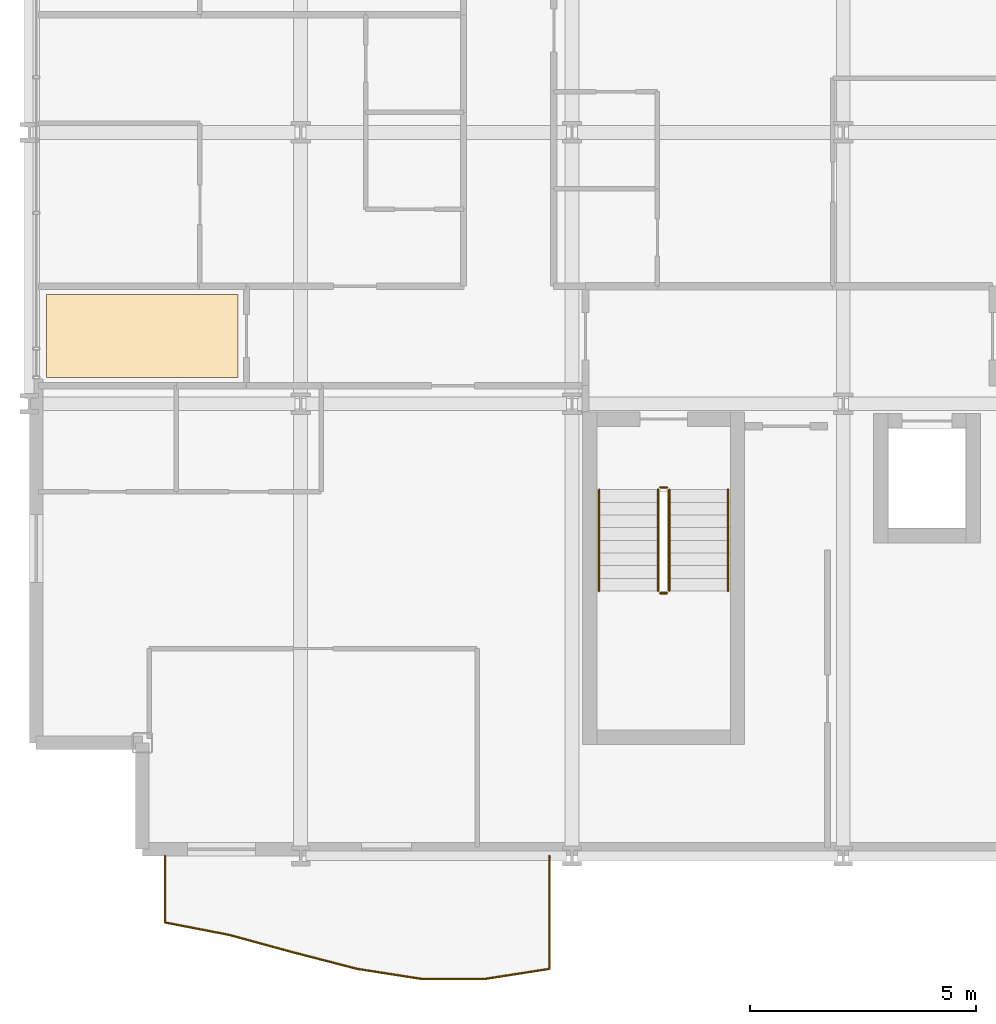
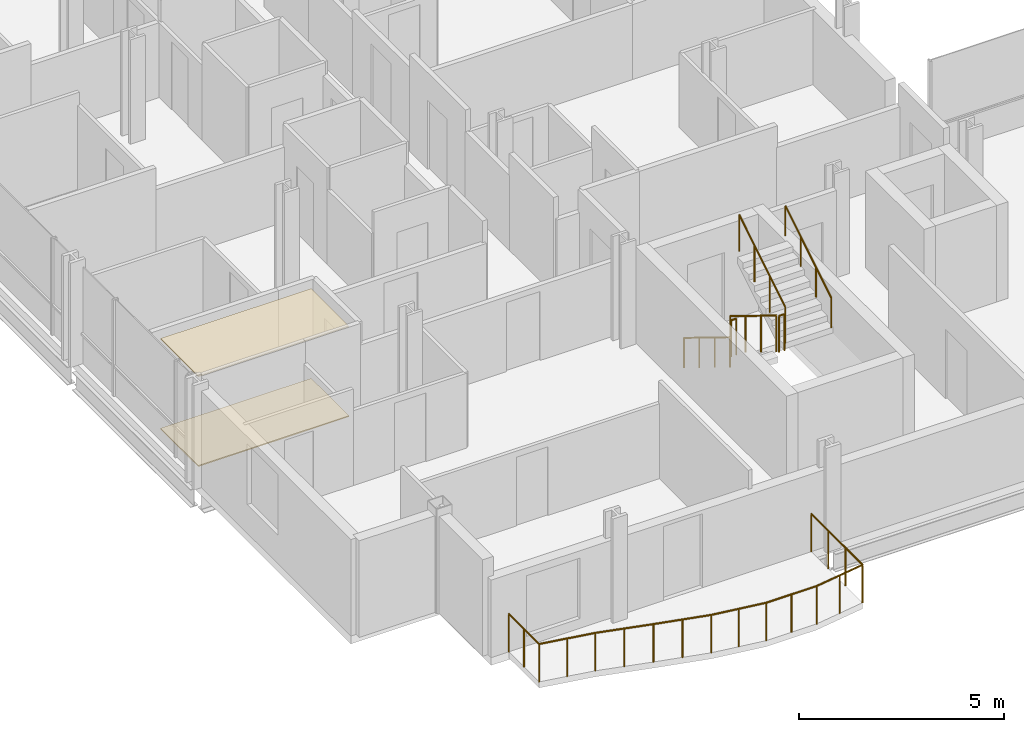
# One storey, part 38 of 40: 7 railings, 2 coverings.
"""IFC4 building model written with IfcOpenShell, lengths in metres."""

import ifcopenshell
import ifcopenshell.guid

model = None  # the IFC model being written
_history = None  # IfcOwnerHistory: only IFC2X3 demands one
_inside = {}  # id of a spatial element -> (the spatial element, [elements in it])
_under = {}  # id of a project, library or spatial element -> (it, [spatial elements below it])
_declared = {}  # id of a project -> (the project, [libraries it declares])
_typed = {}  # id of a type object -> (the type object, [elements of that type])
_made_of = {}  # id of a material, layer set ... -> (it, [elements and type objects made of it])


def new_model(schema):
    """Start an empty IFC model of exactly this schema.

    Asked for "IFC4X3", IfcOpenShell would pick the latest addendum, in which some entities
    have other attributes; the version numbers below select the first issue.
    IFC2X3 requires an IfcOwnerHistory on every rooted entity: one is made here for all.
    """
    global model, _history
    if schema == "IFC4X3":
        model = ifcopenshell.file(schema_version=(4, 3, 0, 0))
    else:
        model = ifcopenshell.file(schema=schema)
    _inside.clear()
    _under.clear()
    _declared.clear()
    _typed.clear()
    _made_of.clear()
    _history = None
    if model.schema == "IFC2X3":
        org = make("IfcOrganization", Name="unknown")
        user = make(
            "IfcPersonAndOrganization",
            ThePerson=make("IfcPerson", FamilyName="unknown"),
            TheOrganization=org,
        )
        app = make(
            "IfcApplication",
            ApplicationDeveloper=org,
            Version="unknown",
            ApplicationFullName="unknown",
            ApplicationIdentifier="unknown",
        )
        _history = make(
            "IfcOwnerHistory",
            OwningUser=user,
            OwningApplication=app,
            ChangeAction="ADDED",
            CreationDate=0,
        )
    return model


def make(cls, **values):
    """One entity of the class cls with the attributes given. An attribute that is None is left unset."""
    return model.create_entity(
        cls, **{name: value for name, value in values.items() if value is not None}
    )


def rooted(cls, **values):
    """An entity with a GlobalId (a new one), such as an element, a storey or a relation."""
    return make(cls, GlobalId=ifcopenshell.guid.new(), OwnerHistory=_history, **values)


def si_unit(unit_type, name, prefix=None):
    """IfcSIUnit, for example si_unit("LENGTHUNIT", "METRE", prefix="MILLI")."""
    return make("IfcSIUnit", UnitType=unit_type, Prefix=prefix, Name=name)


def assignment(units):
    """IfcUnitAssignment: the units of a project."""
    return None if units is None else make("IfcUnitAssignment", Units=units)


def point(xyz):
    """IfcCartesianPoint."""
    return None if xyz is None else make("IfcCartesianPoint", Coordinates=xyz)


def direction(xyz):
    """IfcDirection."""
    return None if xyz is None else make("IfcDirection", DirectionRatios=xyz)


def frame(location, z_axis=None, x_axis=None):
    """IfcAxis2Placement3D, a coordinate frame: its origin and axes. An axis left out is left unset."""
    return make(
        "IfcAxis2Placement3D",
        Location=point(location),
        Axis=direction(z_axis),
        RefDirection=direction(x_axis),
    )


def frame_2d(location, x_axis=None):
    """IfcAxis2Placement2D, a coordinate frame in the plane: its origin and x axis."""
    return make(
        "IfcAxis2Placement2D", Location=point(location), RefDirection=direction(x_axis)
    )


def origin():
    """The frame at (0, 0, 0) with its axes left unset."""
    return frame((0.0, 0.0, 0.0))


def origin_2d():
    """The frame at (0, 0) in the plane with its x axis left unset."""
    return frame_2d((0.0, 0.0))


def place(relative_to, where):
    """IfcLocalPlacement: puts the frame where relative to a parent placement (None: the world)."""
    return make(
        "IfcLocalPlacement", PlacementRelTo=relative_to, RelativePlacement=where
    )


def context(
    kind, dimensions, precision=None, world=None, true_north=None, identifier=None
):
    """IfcGeometricRepresentationContext, for example the 3D "Model" context."""
    return make(
        "IfcGeometricRepresentationContext",
        ContextIdentifier=identifier,
        ContextType=kind,
        CoordinateSpaceDimension=dimensions,
        Precision=precision,
        WorldCoordinateSystem=world,
        TrueNorth=true_north,
    )


def subcontext(parent, identifier, kind, view, scale=None):
    """IfcGeometricRepresentationSubContext, for example "Body" below "Model"."""
    return make(
        "IfcGeometricRepresentationSubContext",
        ContextIdentifier=identifier,
        ContextType=kind,
        ParentContext=parent,
        TargetScale=scale,
        TargetView=view,
    )


def project(units=None, contexts=None):
    """IfcProject with its units and contexts."""
    return rooted(
        "IfcProject",
        Name="project",
        RepresentationContexts=contexts,
        UnitsInContext=assignment(units),
    )


def spatial(cls, under=None, at=None, **own):
    """A site, building, storey or space (cls), placed at a placement, below another one or the project."""
    s = rooted(cls, ObjectPlacement=at, **own)
    if under is not None:
        _under.setdefault(under.id(), (under, []))[1].append(s)
    return s


def polyline(points):
    """IfcPolyline through the points."""
    return make("IfcPolyline", Points=[point(p) for p in points])


def profile(cls, at=None, kind="AREA", **sizes):
    """A parametric profile (cls). Its sizes go by their IFC names, for example OverallWidth=200.0."""
    return make(cls, ProfileType=kind, Position=at, **sizes)


def circle(**sizes):
    """IfcCircleProfileDef."""
    return profile("IfcCircleProfileDef", **sizes)


def outline(outer, holes=None, kind="AREA"):
    """IfcArbitraryClosedProfileDef: a profile drawn as a closed curve; with holes, ...WithVoids."""
    if holes is None:
        return make("IfcArbitraryClosedProfileDef", ProfileType=kind, OuterCurve=outer)
    return make(
        "IfcArbitraryProfileDefWithVoids",
        ProfileType=kind,
        OuterCurve=outer,
        InnerCurves=holes,
    )


def extrude(swept, where, along, depth):
    """IfcExtrudedAreaSolid: the profile swept, set in the frame where, extruded along a direction by depth."""
    return make(
        "IfcExtrudedAreaSolid",
        SweptArea=swept,
        Position=where,
        ExtrudedDirection=direction(along),
        Depth=depth,
    )


def shape(context_of_items, identifier, shape_type, items):
    """IfcShapeRepresentation: the items that make up one representation, for example the "Body"."""
    return make(
        "IfcShapeRepresentation",
        ContextOfItems=context_of_items,
        RepresentationIdentifier=identifier,
        RepresentationType=shape_type,
        Items=items,
    )


def material(Name=None, Category=None):
    """IfcMaterial."""
    return make("IfcMaterial", Name=Name, Category=Category)


def layer(
    of_material, thickness, ventilated=None, Name=None, Category=None, Priority=None
):
    """IfcMaterialLayer: one layer of a wall or slab, of a material (None: an air gap)."""
    return make(
        "IfcMaterialLayer",
        Material=of_material,
        LayerThickness=thickness,
        IsVentilated=ventilated,
        Name=Name,
        Category=Category,
        Priority=Priority,
    )


def layer_set(layers, Name=None):
    """IfcMaterialLayerSet."""
    return make("IfcMaterialLayerSet", MaterialLayers=layers, LayerSetName=Name)


def made_of(thing, what):
    """Note that an element or type object is made of a material, layer set ...; save() writes the relation."""
    if what is not None:
        _made_of.setdefault(what.id(), (what, []))[1].append(thing)
    return thing


def type_object(cls, material=None, **own):
    """A type object (cls), such as IfcWallType, which elements share."""
    return made_of(rooted(cls, **own), material)


def element(
    cls,
    number,
    at=None,
    inside=None,
    cuts=None,
    type_object=None,
    material=None,
    context=None,
    identifier="Body",
    shape_type=None,
    held_by="IfcProductDefinitionShape",
    body=None,
    shapes=None,
    **own,
):
    """One element of the class cls, such as IfcWall. Its Tag is "e" and its number.

    at: its placement. inside: the storey or other place that contains it. cuts: it is an
    opening in that element (IfcRelVoidsElement). A single representation is given by context,
    identifier, shape_type and body (its items); several are given by shapes. held_by: the class
    of the entity that holds the representations. save() writes the other relations.
    """
    e = rooted(cls, Tag="e%d" % number, ObjectPlacement=at, **own)
    if body is not None:
        shapes = [shape(context, identifier, shape_type, body)]
    if shapes is not None:
        e.Representation = make(held_by, Representations=shapes)
    if inside is not None:
        _inside.setdefault(inside.id(), (inside, []))[1].append(e)
    if cuts is not None:
        rooted(
            "IfcRelVoidsElement", RelatingBuildingElement=cuts, RelatedOpeningElement=e
        )
    if type_object is not None:
        _typed.setdefault(type_object.id(), (type_object, []))[1].append(e)
    return made_of(e, material)


def aggregate(whole, parts):
    """IfcRelAggregates: a whole, such as a stair, and the parts it consists of."""
    return rooted("IfcRelAggregates", RelatingObject=whole, RelatedObjects=parts)


def save(model, path):
    """Write the relations noted so far, then the file.

    IfcRelAggregates (storeys below a building ...), IfcRelContainedInSpatialStructure (elements
    in a storey), IfcRelDefinesByType, IfcRelAssociatesMaterial and IfcRelDeclares: one each for
    every whole, place, type object, material and project.
    """
    for whole, parts in _under.values():
        aggregate(whole, parts)
    for where, things in _inside.values():
        rooted(
            "IfcRelContainedInSpatialStructure",
            RelatedElements=things,
            RelatingStructure=where,
        )
    for kind, things in _typed.values():
        rooted("IfcRelDefinesByType", RelatedObjects=things, RelatingType=kind)
    for what, things in _made_of.values():
        rooted("IfcRelAssociatesMaterial", RelatedObjects=things, RelatingMaterial=what)
    for by, libraries in _declared.values():
        rooted("IfcRelDeclares", RelatingContext=by, RelatedDefinitions=libraries)
    model.write(path)


model = new_model("IFC4")

# Units and contexts
model_context = context("Model", 3, precision=1e-05, world=origin(), true_north=direction((0.0, 1.0)))
body_context = subcontext(model_context, "Body", "Model", "MODEL_VIEW")
ifc_project = project(units=[si_unit("LENGTHUNIT", "METRE"), si_unit("AREAUNIT", "SQUARE_METRE"), si_unit("VOLUMEUNIT", "CUBIC_METRE"), si_unit("PLANEANGLEUNIT", "RADIAN"), si_unit("MASSUNIT", "GRAM", prefix="KILO")], contexts=[model_context])

# Site, building, storey
site_placement = place(None, origin())
site = spatial("IfcSite", under=ifc_project, at=site_placement, CompositionType="ELEMENT")
building_placement = place(site_placement, origin())
building = spatial("IfcBuilding", under=site, at=building_placement, Name="Brevholm Reach", CompositionType="ELEMENT")
storey_placement = place(building_placement, frame((0.0, 0.0, 37.300048828125)))
storey = spatial("IfcBuildingStorey", under=building, at=storey_placement, Name="L09", CompositionType="ELEMENT", Elevation=37.300048828125)

# Coverings
ifc_material_1 = material(Name="Moisture-Resistant Skimmed Gypsum Plasterboard Ceiling", Category="gypsum")
ifc_layer_1 = layer(ifc_material_1, 0.030029296875)
ifc_layer_set_1 = layer_set([ifc_layer_1], Name="Moisture-Resistant Skimmed Gypsum Plasterboard Ceiling")
covering_type_1 = type_object("IfcCoveringType", Name="COV-CLG-GYP", PredefinedType="CEILING", material=ifc_layer_set_1)
covering_1_placement = place(storey_placement, frame((0.0, 0.0, 2.669921875)))
element("IfcCovering", 1, at=covering_1_placement, inside=storey, type_object=covering_type_1, Name="L09 Suspended Ceiling L09-29", PredefinedType="CEILING", context=body_context, shape_type="SweptSolid", body=[
    extrude(outline(polyline([(0.3798828125, 12.419921875), (4.615966796875, 12.419921875), (4.615966796875, 10.583984375), (0.3798828125, 10.583984375), (0.3798828125, 12.419921875)])), origin(), (0.0, 0.0, 1.0), 0.030029296875),
])
ifc_material_2 = material(Name="Honed Portland-Aggregate Resin Terrazzo Flooring", Category="concrete")
ifc_layer_2 = layer(ifc_material_2, 0.031982421875)
ifc_layer_set_2 = layer_set([ifc_layer_2], Name="Honed Portland-Aggregate Resin Terrazzo Flooring")
covering_type_2 = type_object("IfcCoveringType", Name="COV-FLR-TRZ", PredefinedType="FLOORING", material=ifc_layer_set_2)
covering_2_placement = place(storey_placement, origin())
element("IfcCovering", 2, at=covering_2_placement, inside=storey, type_object=covering_type_2, Name="L09 Floor Finish L09-29", PredefinedType="FLOORING", context=body_context, shape_type="SweptSolid", body=[
    extrude(outline(polyline([(0.3798828125, 12.419921875), (4.615966796875, 12.419921875), (4.615966796875, 10.583984375), (0.3798828125, 10.583984375), (0.3798828125, 12.419921875)])), origin(), (0.0, 0.0, 1.0), 0.031982421875),
])

# Railings
ifc_material_3 = material(Name="Brushed Stainless Steel EN 1.4401 and Laminated Glass", Category="steel")
railing_type_1 = type_object("IfcRailingType", Name="RAL-BALC-1150", PredefinedType="BALUSTRADE", material=ifc_material_3)
railing_1_placement = place(storey_placement, frame((3.0, 0.0, 0.0)))
element("IfcRailing", 3, at=railing_1_placement, inside=storey, type_object=railing_type_1, Name="L09 Guard Balustrade RAL-L09-BAL-SW", PredefinedType="BALUSTRADE", context=body_context, shape_type="SweptSolid", body=[
    extrude(circle(Radius=0.02392578125, at=origin_2d()), frame((0.0, 0.0, 1.1259765625), z_axis=(0.0, -1.0, 0.0), x_axis=(1.0, 0.0, 0.0)), (0.0, 0.0, 1.0), 1.4736328125),
    extrude(circle(Radius=0.02392578125, at=origin_2d()), frame((0.0, -1.4736328125, 1.1259765625), z_axis=(0.981784941083, -0.189995603797, 0.0), x_axis=(0.189995603797, 0.981784941083, 0.0)), (0.0, 0.0, 1.0), 1.443115234375),
    extrude(circle(Radius=0.02392578125, at=origin_2d()), frame((1.416748046875, -1.747802734375, 1.1259765625), z_axis=(0.964821360478, -0.262906337628, 0.0), x_axis=(0.262906337628, 0.964821360478, 0.0)), (0.0, 0.0, 1.0), 1.46826171875),
    extrude(circle(Radius=0.02392578125, at=origin_2d()), frame((2.833251953125, -2.1337890625, 1.1259765625), z_axis=(0.968218696825, -0.250105088151, 0.0), x_axis=(0.250105088151, 0.968218696825, 0.0)), (0.0, 0.0, 1.0), 1.463134765625),
    extrude(circle(Radius=0.02392578125, at=origin_2d()), frame((4.25, -2.499755859375, 1.1259765625), z_axis=(0.988082538492, -0.153924972393, 0.0), x_axis=(0.153924972393, 0.988082538492, 0.0)), (0.0, 0.0, 1.0), 1.433837890625),
    extrude(circle(Radius=0.02392578125, at=origin_2d()), frame((5.666748046875, -2.720458984375, 1.1259765625), z_axis=(1.0, 0.0, 0.0), x_axis=(0.0, 1.0, 0.0)), (0.0, 0.0, 1.0), 1.41650390625),
    extrude(circle(Radius=0.02392578125, at=origin_2d()), frame((7.083251953125, -2.720458984375, 1.1259765625), z_axis=(0.988082538492, 0.153924972393, 0.0), x_axis=(-0.153924972393, 0.988082538492, 0.0)), (0.0, 0.0, 1.0), 1.433837890625),
    extrude(circle(Radius=0.02392578125, at=origin_2d()), frame((8.5, -2.499755859375, 1.1259765625), z_axis=(0.0, 1.0, 0.0), x_axis=(-1.0, 0.0, 0.0)), (0.0, 0.0, 1.0), 2.499755859375),
    extrude(circle(Radius=0.02099609375, at=origin_2d()), origin(), (0.0, 0.0, 1.0), 1.101806640625),
    extrude(circle(Radius=0.02099609375, at=origin_2d()), frame((0.0, -0.73681640625, 0.0)), (0.0, 0.0, 1.0), 1.101806640625),
    extrude(circle(Radius=0.02099609375, at=origin_2d()), frame((0.0, -1.4736328125, 0.0)), (0.0, 0.0, 1.0), 1.101806640625),
    extrude(circle(Radius=0.02099609375, at=origin_2d()), frame((0.70849609375, -1.61083984375, 0.0)), (0.0, 0.0, 1.0), 1.101806640625),
    extrude(circle(Radius=0.02099609375, at=origin_2d()), frame((1.416748046875, -1.747802734375, 0.0)), (0.0, 0.0, 1.0), 1.101806640625),
    extrude(circle(Radius=0.02099609375, at=origin_2d()), frame((2.125, -1.94091796875, 0.0)), (0.0, 0.0, 1.0), 1.101806640625),
    extrude(circle(Radius=0.02099609375, at=origin_2d()), frame((2.833251953125, -2.1337890625, 0.0)), (0.0, 0.0, 1.0), 1.101806640625),
    extrude(circle(Radius=0.02099609375, at=origin_2d()), frame((3.54150390625, -2.31689453125, 0.0)), (0.0, 0.0, 1.0), 1.101806640625),
    extrude(circle(Radius=0.02099609375, at=origin_2d()), frame((4.25, -2.499755859375, 0.0)), (0.0, 0.0, 1.0), 1.101806640625),
    extrude(circle(Radius=0.02099609375, at=origin_2d()), frame((4.95849609375, -2.610107421875, 0.0)), (0.0, 0.0, 1.0), 1.101806640625),
    extrude(circle(Radius=0.02099609375, at=origin_2d()), frame((5.666748046875, -2.720458984375, 0.0)), (0.0, 0.0, 1.0), 1.101806640625),
    extrude(circle(Radius=0.02099609375, at=origin_2d()), frame((6.375, -2.720458984375, 0.0)), (0.0, 0.0, 1.0), 1.101806640625),
    extrude(circle(Radius=0.02099609375, at=origin_2d()), frame((7.083251953125, -2.720458984375, 0.0)), (0.0, 0.0, 1.0), 1.101806640625),
    extrude(circle(Radius=0.02099609375, at=origin_2d()), frame((7.79150390625, -2.610107421875, 0.0)), (0.0, 0.0, 1.0), 1.101806640625),
    extrude(circle(Radius=0.02099609375, at=origin_2d()), frame((8.5, -2.499755859375, 0.0)), (0.0, 0.0, 1.0), 1.101806640625),
    extrude(circle(Radius=0.02099609375, at=origin_2d()), frame((8.5, -1.66650390625, 0.0)), (0.0, 0.0, 1.0), 1.101806640625),
    extrude(circle(Radius=0.02099609375, at=origin_2d()), frame((8.5, -0.833251953125, 0.0)), (0.0, 0.0, 1.0), 1.101806640625),
    extrude(circle(Radius=0.02099609375, at=origin_2d()), frame((8.5, 0.0, 0.0)), (0.0, 0.0, 1.0), 1.101806640625),
])
ifc_material_4 = material(Name="Brushed Stainless Steel EN 1.4401 Continuous Handrail", Category="steel")
railing_type_2 = type_object("IfcRailingType", Name="RAL-HND-950", PredefinedType="HANDRAIL", material=ifc_material_4)
railing_2_placement = place(storey_placement, frame((12.60009765625, 8.10009765625, 0.172119140625)))
element("IfcRailing", 4, at=railing_2_placement, inside=storey, type_object=railing_type_2, Name="L09 ST-1 stair handrail 1", PredefinedType="HANDRAIL", context=body_context, shape_type="SweptSolid", body=[
    extrude(circle(Radius=0.02392578125, at=origin_2d()), frame((0.0, 0.0, 0.8857421875), z_axis=(0.0, -0.851747552033, 0.523952390591), x_axis=(1.0, 0.0, 0.0)), (0.0, 0.0, 1.0), 2.6298828125),
    extrude(circle(Radius=0.02099609375, at=origin_2d()), origin(), (0.0, 0.0, 1.0), 0.86181640625),
    extrude(circle(Radius=0.02099609375, at=origin_2d()), frame((0.0, -0.74658203125, 0.459228515625)), (0.0, 0.0, 1.0), 0.86181640625),
    extrude(circle(Radius=0.02099609375, at=origin_2d()), frame((0.0, -1.493408203125, 0.918701171875)), (0.0, 0.0, 1.0), 0.86181640625),
    extrude(circle(Radius=0.02099609375, at=origin_2d()), frame((0.0, -2.239990234375, 1.3779296875)), (0.0, 0.0, 1.0), 0.86181640625),
])
railing_3_placement = place(storey_placement, frame((15.449951171875, 5.860107421875, 1.72216796875)))
element("IfcRailing", 5, at=railing_3_placement, inside=storey, type_object=railing_type_2, Name="L09 ST-1 stair handrail 2", PredefinedType="HANDRAIL", context=body_context, shape_type="SweptSolid", body=[
    extrude(circle(Radius=0.02392578125, at=origin_2d()), frame((0.0, 0.0, 0.8857421875), z_axis=(0.0, 0.85178898068, 0.523885037382), x_axis=(-1.0, 0.0, 0.0)), (0.0, 0.0, 1.0), 2.629638671875),
    extrude(circle(Radius=0.02099609375, at=origin_2d()), origin(), (0.0, 0.0, 1.0), 0.86181640625),
    extrude(circle(Radius=0.02099609375, at=origin_2d()), frame((0.0, 0.74658203125, 0.459228515625)), (0.0, 0.0, 1.0), 0.86181640625),
    extrude(circle(Radius=0.02099609375, at=origin_2d()), frame((0.0, 1.493408203125, 0.91845703125)), (0.0, 0.0, 1.0), 0.86181640625),
    extrude(circle(Radius=0.02099609375, at=origin_2d()), frame((0.0, 2.239990234375, 1.377685546875)), (0.0, 0.0, 1.0), 0.86181640625),
])
ifc_material_5 = material(Name="Painted Tubular Galvanised Steel S275JR Stair Guard", Category="steel")
railing_type_3 = type_object("IfcRailingType", Name="RAL-STG-1120", PredefinedType="BALUSTRADE", material=ifc_material_5)
railing_4_placement = place(storey_placement, frame((13.89990234375, 8.10009765625, 0.172119140625)))
element("IfcRailing", 6, at=railing_4_placement, inside=storey, type_object=railing_type_3, Name="L09 ST-1 stair guard 1", PredefinedType="BALUSTRADE", context=body_context, shape_type="SweptSolid", body=[
    extrude(circle(Radius=0.02392578125, at=origin_2d()), frame((0.0, 0.0, 1.076171875), z_axis=(0.0, -0.851747552033, 0.523952390591), x_axis=(1.0, 0.0, 0.0)), (0.0, 0.0, 1.0), 2.6298828125),
    extrude(circle(Radius=0.02099609375, at=origin_2d()), origin(), (0.0, 0.0, 1.0), 1.052001953125),
    extrude(circle(Radius=0.02099609375, at=origin_2d()), frame((0.0, -0.74658203125, 0.459228515625)), (0.0, 0.0, 1.0), 1.052001953125),
    extrude(circle(Radius=0.02099609375, at=origin_2d()), frame((0.0, -1.493408203125, 0.918701171875)), (0.0, 0.0, 1.0), 1.052001953125),
    extrude(circle(Radius=0.02099609375, at=origin_2d()), frame((0.0, -2.239990234375, 1.3779296875)), (0.0, 0.0, 1.0), 1.052001953125),
])
railing_5_placement = place(storey_placement, frame((13.949951171875, 5.81005859375, 1.550048828125)))
element("IfcRailing", 7, at=railing_5_placement, inside=storey, type_object=railing_type_3, Name="L09 ST-1 stair guard 2", PredefinedType="BALUSTRADE", context=body_context, shape_type="SweptSolid", body=[
    extrude(circle(Radius=0.02392578125, at=origin_2d()), frame((0.0, 0.0, 1.076171875), z_axis=(1.0, 0.0, 0.0), x_axis=(0.0, 1.0, 0.0)), (0.0, 0.0, 1.0), 0.150146484375),
    extrude(circle(Radius=0.02099609375, at=origin_2d()), origin(), (0.0, 0.0, 1.0), 1.052001953125),
    extrude(circle(Radius=0.02099609375, at=origin_2d()), frame((0.150146484375, 0.0, 0.0)), (0.0, 0.0, 1.0), 1.052001953125),
])
railing_6_placement = place(storey_placement, frame((14.14990234375, 5.860107421875, 1.72216796875)))
element("IfcRailing", 8, at=railing_6_placement, inside=storey, type_object=railing_type_3, Name="L09 ST-1 stair guard 3", PredefinedType="BALUSTRADE", context=body_context, shape_type="SweptSolid", body=[
    extrude(circle(Radius=0.02392578125, at=origin_2d()), frame((0.0, 0.0, 1.076171875), z_axis=(0.0, 0.85178898068, 0.523885037382), x_axis=(-1.0, 0.0, 0.0)), (0.0, 0.0, 1.0), 2.629638671875),
    extrude(circle(Radius=0.02099609375, at=origin_2d()), origin(), (0.0, 0.0, 1.0), 1.052001953125),
    extrude(circle(Radius=0.02099609375, at=origin_2d()), frame((0.0, 0.74658203125, 0.459228515625)), (0.0, 0.0, 1.0), 1.052001953125),
    extrude(circle(Radius=0.02099609375, at=origin_2d()), frame((0.0, 1.493408203125, 0.91845703125)), (0.0, 0.0, 1.0), 1.052001953125),
    extrude(circle(Radius=0.02099609375, at=origin_2d()), frame((0.0, 2.239990234375, 1.377685546875)), (0.0, 0.0, 1.0), 1.052001953125),
])
railing_7_placement = place(storey_placement, frame((13.949951171875, 8.14990234375, 0.0)))
element("IfcRailing", 9, at=railing_7_placement, inside=storey, type_object=railing_type_3, Name="L09 ST-1 stair guard 4", PredefinedType="BALUSTRADE", context=body_context, shape_type="SweptSolid", body=[
    extrude(circle(Radius=0.02392578125, at=origin_2d()), frame((0.0, 0.0, 1.076171875), z_axis=(1.0, 0.0, 0.0), x_axis=(0.0, 1.0, 0.0)), (0.0, 0.0, 1.0), 0.150146484375),
    extrude(circle(Radius=0.02099609375, at=origin_2d()), origin(), (0.0, 0.0, 1.0), 1.052001953125),
    extrude(circle(Radius=0.02099609375, at=origin_2d()), frame((0.150146484375, 0.0, 0.0)), (0.0, 0.0, 1.0), 1.052001953125),
])

save(model, "model.ifc")
